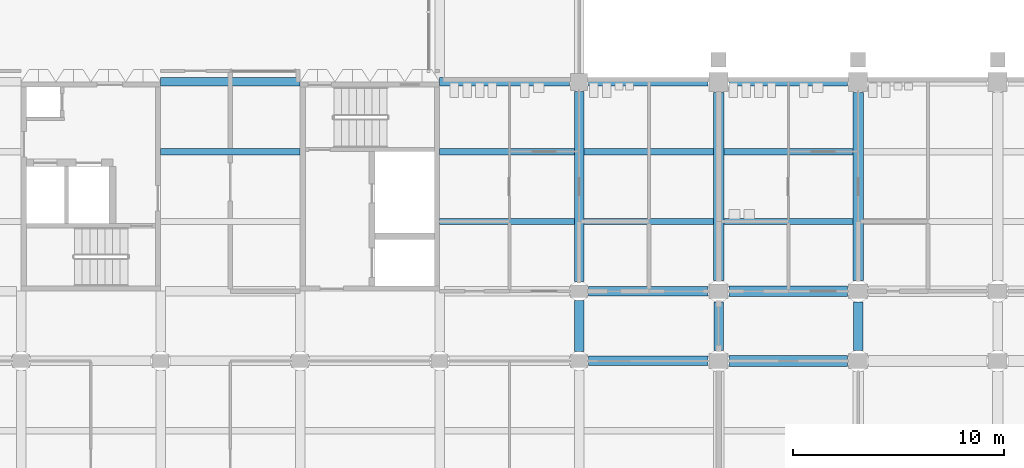
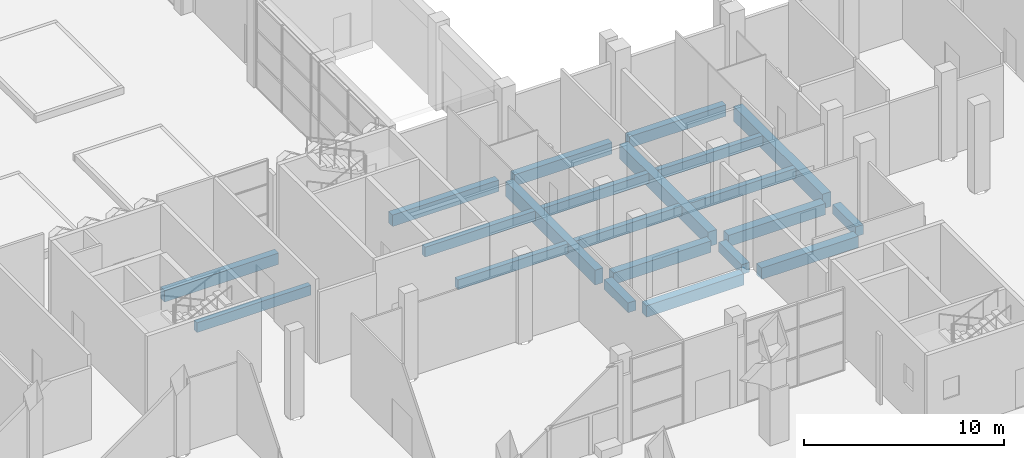
# One storey, part 5 of 85: 21 beams.
"""IFC4 building model written with IfcOpenShell, lengths in metres."""

from ifc_helpers import new_model, si_unit, direction, frame, origin, origin_2d, place, context, subcontext, project, spatial, rectangle, extrude, material, material_profile, profile_set, type_object, element, save


model = new_model("IFC4")

# Units and contexts
model_context = context("Model", 3, precision=1e-05, world=origin(), true_north=direction((0.0, 1.0)))
body_context = subcontext(model_context, "Body", "Model", "MODEL_VIEW")
ifc_project = project(units=[si_unit("LENGTHUNIT", "METRE"), si_unit("AREAUNIT", "SQUARE_METRE"), si_unit("VOLUMEUNIT", "CUBIC_METRE"), si_unit("PLANEANGLEUNIT", "RADIAN"), si_unit("MASSUNIT", "GRAM", prefix="KILO")], contexts=[model_context])

# Site, building, storey
site_placement = place(None, origin())
site = spatial("IfcSite", under=ifc_project, at=site_placement, CompositionType="ELEMENT")
building_placement = place(site_placement, origin())
building = spatial("IfcBuilding", under=site, at=building_placement, Name="Lantern Court Research Institute", CompositionType="ELEMENT")
storey_placement = place(building_placement, origin())
storey = spatial("IfcBuildingStorey", under=building, at=storey_placement, Name="L00", CompositionType="ELEMENT", Elevation=0.0)

# Beams
ifc_material_1 = material(Name="Concrete C40/50", Category="concrete")
ifc_material_profile_1 = material_profile(ifc_material_1, rectangle(XDim=0.449951171875, YDim=0.699951171875, at=origin_2d()), Name="RC beam 450 x 700")
ifc_profile_set_1 = profile_set([ifc_material_profile_1], Name="Concrete C40/50")
beam_type_1 = type_object("IfcBeamType", Name="RC beam 450 x 700", PredefinedType="BEAM", material=ifc_profile_set_1)
for number, where, z_axis, x_axis, name in (
    (1, (46.64990234375, 9.89990234375, -0.64990234375), (1.0, 0.0, 0.0), (0.0, 1.0, 0.0), "Beam L00 grid B/8-9"),
    (2, (46.64990234375, 13.199951171875, -0.64990234375), (1.0, 0.0, 0.0), (0.0, 1.0, 0.0), "Beam L00 grid C/8-9"),
):
    element("IfcBeam", number, at=place(storey_placement, frame(where, z_axis=z_axis, x_axis=x_axis)), inside=storey, type_object=beam_type_1, Name=name, PredefinedType="BEAM", context=body_context, shape_type="SweptSolid", body=[
        extrude(rectangle(XDim=0.449951171875, YDim=0.699951171875, at=origin_2d()), origin(), (0.0, 0.0, 1.0), 5.650146484375),
    ])
ifc_material_2 = material(Name="Concrete C40/50", Category="concrete")
ifc_material_profile_2 = material_profile(ifc_material_2, rectangle(XDim=0.5, YDim=0.699951171875, at=origin_2d()), Name="RC beam 500 x 700")
ifc_profile_set_2 = profile_set([ifc_material_profile_2], Name="Concrete C40/50")
beam_type_2 = type_object("IfcBeamType", Name="RC beam 500 x 700", PredefinedType="BEAM", material=ifc_profile_set_2)
for number, where, z_axis, x_axis, name in (
    (3, (53.300048828125, 9.89990234375, -0.64990234375), (1.0, 0.0, 0.0), (0.0, 1.0, 0.0), "Beam L00 grid B/9-10"),
    (4, (53.300048828125, 13.199951171875, -0.64990234375), (1.0, 0.0, 0.0), (0.0, 1.0, 0.0), "Beam L00 grid C/9-10"),
):
    element("IfcBeam", number, at=place(storey_placement, frame(where, z_axis=z_axis, x_axis=x_axis)), inside=storey, type_object=beam_type_2, Name=name, PredefinedType="BEAM", context=body_context, shape_type="SweptSolid", body=[
        extrude(rectangle(XDim=0.5, YDim=0.699951171875, at=origin_2d()), origin(), (0.0, 0.0, 1.0), 5.599853515625),
    ])
ifc_material_3 = material(Name="Concrete C40/50", Category="concrete")
ifc_material_profile_3 = material_profile(ifc_material_3, rectangle(XDim=0.39990234375, YDim=0.699951171875, at=origin_2d()), Name="RC beam 400 x 700")
ifc_profile_set_3 = profile_set([ifc_material_profile_3], Name="Concrete C40/50")
beam_type_3 = type_object("IfcBeamType", Name="RC edge beam 400 x 700", PredefinedType="BEAM", material=ifc_profile_set_3)
beam_1_placement = place(storey_placement, frame((26.39990234375, 23.10009765625, -0.64990234375), z_axis=(1.0, 0.0, 0.0), x_axis=(0.0, 1.0, 0.0)))
element("IfcBeam", 5, at=beam_1_placement, inside=storey, type_object=beam_type_3, Name="Edge beam L00 grid D/5-6", PredefinedType="BEAM", context=body_context, shape_type="SweptSolid", body=[
    extrude(rectangle(XDim=0.39990234375, YDim=0.699951171875, at=origin_2d()), origin(), (0.0, 0.0, 1.0), 6.60009765625),
])
beam_2_placement = place(storey_placement, frame((39.60009765625, 23.10009765625, -0.64990234375), z_axis=(1.0, 0.0, 0.0), x_axis=(0.0, 1.0, 0.0)))
element("IfcBeam", 6, at=beam_2_placement, inside=storey, type_object=beam_type_3, Name="Edge beam L00 grid D/7-8", PredefinedType="BEAM", context=body_context, shape_type="SweptSolid", body=[
    extrude(rectangle(XDim=0.39990234375, YDim=0.699951171875, at=origin_2d()), origin(), (0.0, 0.0, 1.0), 6.14990234375),
])
beam_3_placement = place(storey_placement, frame((46.64990234375, 23.10009765625, -0.64990234375), z_axis=(1.0, 0.0, 0.0), x_axis=(0.0, 1.0, 0.0)))
element("IfcBeam", 7, at=beam_3_placement, inside=storey, type_object=beam_type_3, Name="Edge beam L00 grid D/8-9", PredefinedType="BEAM", context=body_context, shape_type="SweptSolid", body=[
    extrude(rectangle(XDim=0.39990234375, YDim=0.699951171875, at=origin_2d()), origin(), (0.0, 0.0, 1.0), 5.650146484375),
])
beam_4_placement = place(storey_placement, frame((53.300048828125, 23.10009765625, -0.64990234375), z_axis=(1.0, 0.0, 0.0), x_axis=(0.0, 1.0, 0.0)))
element("IfcBeam", 8, at=beam_4_placement, inside=storey, type_object=beam_type_3, Name="Edge beam L00 grid D/9-10", PredefinedType="BEAM", context=body_context, shape_type="SweptSolid", body=[
    extrude(rectangle(XDim=0.39990234375, YDim=0.699951171875, at=origin_2d()), origin(), (0.0, 0.0, 1.0), 5.599853515625),
])
ifc_material_4 = material(Name="Concrete C40/50", Category="concrete")
ifc_material_profile_4 = material_profile(ifc_material_4, rectangle(XDim=0.449951171875, YDim=0.89990234375, at=origin_2d()), Name="RC beam 450 x 900")
ifc_profile_set_4 = profile_set([ifc_material_profile_4], Name="Concrete C40/50")
beam_type_4 = type_object("IfcBeamType", Name="RC girder 450 x 900", PredefinedType="BEAM", material=ifc_profile_set_4)
beam_5_placement = place(storey_placement, frame((46.199951171875, 13.64990234375, -0.75), z_axis=(0.0, 1.0, 0.0), x_axis=(-1.0, 0.0, 0.0)))
element("IfcBeam", 9, at=beam_5_placement, inside=storey, type_object=beam_type_4, Name="Girder L00 grid 8/C-D", PredefinedType="BEAM", context=body_context, shape_type="SweptSolid", body=[
    extrude(rectangle(XDim=0.449951171875, YDim=0.89990234375, at=origin_2d()), origin(), (0.0, 0.0, 1.0), 9.0),
])
ifc_material_5 = material(Name="Concrete C40/50", Category="concrete")
ifc_material_profile_5 = material_profile(ifc_material_5, rectangle(XDim=0.5, YDim=0.89990234375, at=origin_2d()), Name="RC beam 500 x 900")
ifc_profile_set_5 = profile_set([ifc_material_profile_5], Name="Concrete C40/50")
beam_type_5 = type_object("IfcBeamType", Name="RC girder 500 x 900", PredefinedType="BEAM", material=ifc_profile_set_5)
for number, where, z_axis, x_axis, name in (
    (10, (52.800048828125, 13.699951171875, -0.75), (0.0, 1.0, 0.0), (-1.0, 0.0, 0.0), "Girder L00 grid 9/C-D"),
    (11, (59.39990234375, 13.699951171875, -0.75), (0.0, 1.0, 0.0), (-1.0, 0.0, 0.0), "Girder L00 grid 10/C-D"),
):
    element("IfcBeam", number, at=place(storey_placement, frame(where, z_axis=z_axis, x_axis=x_axis)), inside=storey, type_object=beam_type_5, Name=name, PredefinedType="BEAM", context=body_context, shape_type="SweptSolid", body=[
        extrude(rectangle(XDim=0.5, YDim=0.89990234375, at=origin_2d()), origin(), (0.0, 0.0, 1.0), 8.900146484375),
    ])
ifc_material_6 = material(Name="Concrete C40/50", Category="concrete")
ifc_material_profile_6 = material_profile(ifc_material_6, rectangle(XDim=0.300048828125, YDim=0.60009765625, at=origin_2d()), Name="RC beam 300 x 600")
ifc_profile_set_6 = profile_set([ifc_material_profile_6], Name="Concrete C40/50")
beam_type_6 = type_object("IfcBeamType", Name="RC secondary beam 300 x 600", PredefinedType="BEAM", material=ifc_profile_set_6)
beam_6_placement = place(storey_placement, frame((39.60009765625, 16.5, -0.60009765625), z_axis=(1.0, 0.0, 0.0), x_axis=(0.0, 1.0, 0.0)))
element("IfcBeam", 12, at=beam_6_placement, inside=storey, type_object=beam_type_6, Name="Secondary beam L00 grids 7-8 / C-D, line 1", PredefinedType="BEAM", context=body_context, shape_type="SweptSolid", body=[
    extrude(rectangle(XDim=0.300048828125, YDim=0.60009765625, at=origin_2d()), origin(), (0.0, 0.0, 1.0), 6.375),
])
beam_7_placement = place(storey_placement, frame((46.425048828125, 16.5, -0.60009765625), z_axis=(1.0, 0.0, 0.0), x_axis=(0.0, 1.0, 0.0)))
element("IfcBeam", 13, at=beam_7_placement, inside=storey, type_object=beam_type_6, Name="Secondary beam L00 grids 8-9 / C-D, line 1", PredefinedType="BEAM", context=body_context, shape_type="SweptSolid", body=[
    extrude(rectangle(XDim=0.300048828125, YDim=0.60009765625, at=origin_2d()), origin(), (0.0, 0.0, 1.0), 6.125),
])
beam_8_placement = place(storey_placement, frame((26.39990234375, 19.800048828125, -0.60009765625), z_axis=(1.0, 0.0, 0.0), x_axis=(0.0, 1.0, 0.0)))
element("IfcBeam", 14, at=beam_8_placement, inside=storey, type_object=beam_type_6, Name="Secondary beam L00 grids 5-6 / C-D, line 2", PredefinedType="BEAM", context=body_context, shape_type="SweptSolid", body=[
    extrude(rectangle(XDim=0.300048828125, YDim=0.60009765625, at=origin_2d()), origin(), (0.0, 0.0, 1.0), 6.60009765625),
])
beam_9_placement = place(storey_placement, frame((39.60009765625, 19.800048828125, -0.60009765625), z_axis=(1.0, 0.0, 0.0), x_axis=(0.0, 1.0, 0.0)))
element("IfcBeam", 15, at=beam_9_placement, inside=storey, type_object=beam_type_6, Name="Secondary beam L00 grids 7-8 / C-D, line 2", PredefinedType="BEAM", context=body_context, shape_type="SweptSolid", body=[
    extrude(rectangle(XDim=0.300048828125, YDim=0.60009765625, at=origin_2d()), origin(), (0.0, 0.0, 1.0), 6.375),
])
beam_10_placement = place(storey_placement, frame((46.425048828125, 19.800048828125, -0.60009765625), z_axis=(1.0, 0.0, 0.0), x_axis=(0.0, 1.0, 0.0)))
element("IfcBeam", 16, at=beam_10_placement, inside=storey, type_object=beam_type_6, Name="Secondary beam L00 grids 8-9 / C-D, line 2", PredefinedType="BEAM", context=body_context, shape_type="SweptSolid", body=[
    extrude(rectangle(XDim=0.300048828125, YDim=0.60009765625, at=origin_2d()), origin(), (0.0, 0.0, 1.0), 6.125),
])
for number, where, z_axis, x_axis, name in (
    (17, (53.050048828125, 16.5, -0.60009765625), (1.0, 0.0, 0.0), (0.0, 1.0, 0.0), "Secondary beam L00 grids 9-10 / C-D, line 1"),
    (18, (53.050048828125, 19.800048828125, -0.60009765625), (1.0, 0.0, 0.0), (0.0, 1.0, 0.0), "Secondary beam L00 grids 9-10 / C-D, line 2"),
):
    element("IfcBeam", number, at=place(storey_placement, frame(where, z_axis=z_axis, x_axis=x_axis)), inside=storey, type_object=beam_type_6, Name=name, PredefinedType="BEAM", context=body_context, shape_type="SweptSolid", body=[
        extrude(rectangle(XDim=0.300048828125, YDim=0.60009765625, at=origin_2d()), origin(), (0.0, 0.0, 1.0), 6.099853515625),
    ])
ifc_material_7 = material(Name="Concrete C40/50", Category="concrete")
ifc_material_profile_7 = material_profile(ifc_material_7, rectangle(XDim=0.449951171875, YDim=0.60009765625, at=origin_2d()), Name="RC beam 450 x 600")
ifc_profile_set_7 = profile_set([ifc_material_profile_7], Name="Concrete C40/50")
beam_type_7 = type_object("IfcBeamType", Name="RC spine beam 450 x 600", PredefinedType="BEAM", material=ifc_profile_set_7)
beam_11_placement = place(storey_placement, frame((46.199951171875, 10.35009765625, -0.60009765625), z_axis=(0.0, 1.0, 0.0), x_axis=(-1.0, 0.0, 0.0)))
element("IfcBeam", 19, at=beam_11_placement, inside=storey, type_object=beam_type_7, Name="Beam L00 grid 8/B-C", PredefinedType="BEAM", context=body_context, shape_type="SweptSolid", body=[
    extrude(rectangle(XDim=0.449951171875, YDim=0.60009765625, at=origin_2d()), origin(), (0.0, 0.0, 1.0), 2.39990234375),
])
for number, where, z_axis, x_axis, name in (
    (20, (52.800048828125, 10.39990234375, -0.60009765625), (0.0, 1.0, 0.0), (-1.0, 0.0, 0.0), "Beam L00 grid 9/B-C"),
    (21, (59.39990234375, 10.39990234375, -0.60009765625), (0.0, 1.0, 0.0), (-1.0, 0.0, 0.0), "Beam L00 grid 10/B-C"),
):
    element("IfcBeam", number, at=place(storey_placement, frame(where, z_axis=z_axis, x_axis=x_axis)), inside=storey, type_object=beam_type_7, Name=name, PredefinedType="BEAM", context=body_context, shape_type="SweptSolid", body=[
        extrude(rectangle(XDim=0.449951171875, YDim=0.60009765625, at=origin_2d()), origin(), (0.0, 0.0, 1.0), 2.300048828125),
    ])

save(model, "model.ifc")
